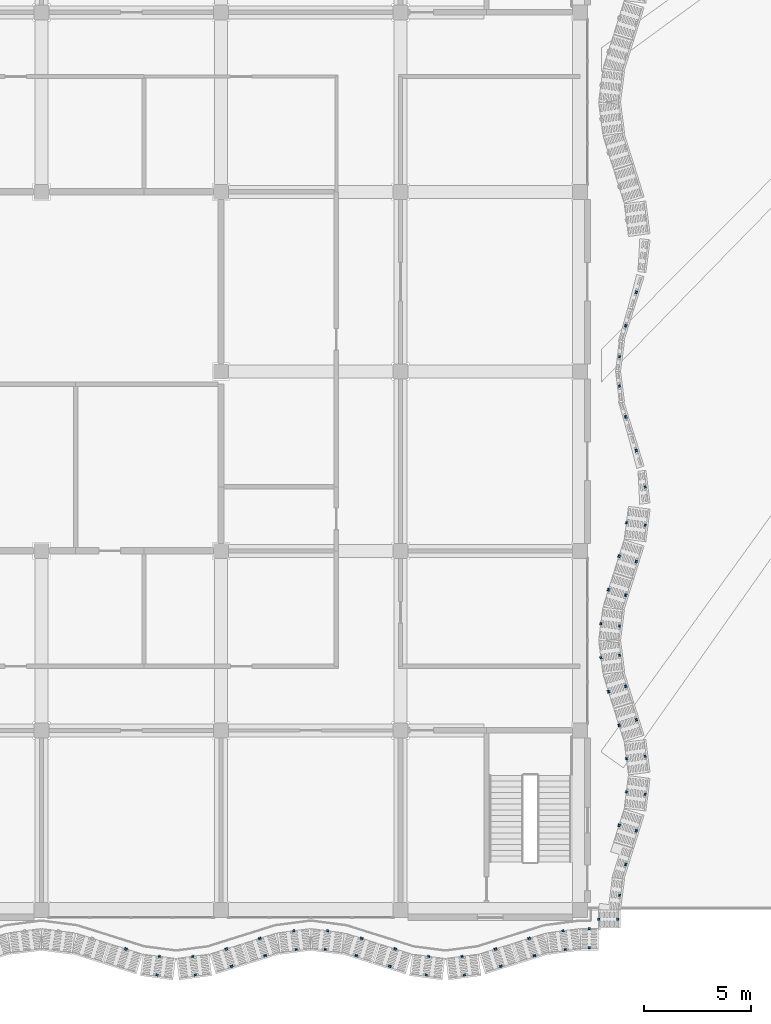
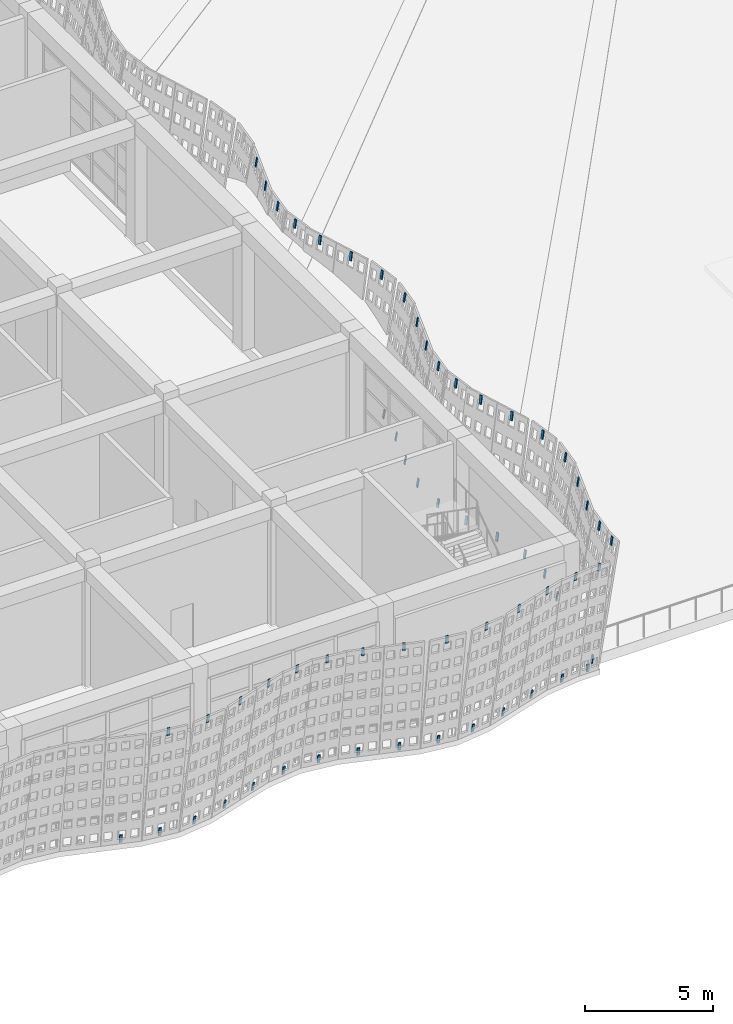
# One storey, part 136 of 210: 60 discrete accessories.
"""IFC4 building model written with IfcOpenShell, lengths in metres."""

from ifc_helpers import new_model, si_unit, direction, frame, origin, origin_2d, place, context, subcontext, project, spatial, rectangle, extrude, material, material_profile, profile_set, type_object, element, save


model = new_model("IFC4")

# Units and contexts
model_context = context("Model", 3, precision=1e-05, world=origin(), true_north=direction((0.0, 1.0)))
body_context = subcontext(model_context, "Body", "Model", "MODEL_VIEW")
ifc_project = project(units=[si_unit("LENGTHUNIT", "METRE"), si_unit("AREAUNIT", "SQUARE_METRE"), si_unit("VOLUMEUNIT", "CUBIC_METRE"), si_unit("PLANEANGLEUNIT", "RADIAN"), si_unit("MASSUNIT", "GRAM", prefix="KILO")], contexts=[model_context])

# Site, building, storey
site_placement = place(None, origin())
site = spatial("IfcSite", under=ifc_project, at=site_placement, CompositionType="ELEMENT")
building_placement = place(site_placement, origin())
building = spatial("IfcBuilding", under=site, at=building_placement, Name="Rain Tree Exposition and Congress Centre", CompositionType="ELEMENT")
storey_placement = place(building_placement, origin())
storey = spatial("IfcBuildingStorey", under=building, at=storey_placement, Name="L00", CompositionType="ELEMENT", Elevation=0.0)

# Discrete accessories
ifc_material = material(Name="Steel S355J2", Category="steel")
ifc_material_profile = material_profile(ifc_material, rectangle(XDim=0.1201171875, YDim=0.050048828125, at=origin_2d()), Name="Flat bar 120x50")
ifc_profile_set = profile_set([ifc_material_profile], Name="Steel S355J2")
discrete_accessory_type = type_object("IfcDiscreteAccessoryType", Name="Screen bracket 120x50", PredefinedType="BRACKET", material=ifc_profile_set)
discrete_accessory_1_placement = place(storey_placement, frame((29.165283203125, -1.797607421875, 0.00390625), z_axis=(-0.047009791021, -0.14835557426, 0.987816128201), x_axis=(0.953285755706, -0.302069971973, 0.0)))
element("IfcDiscreteAccessory", 1, at=discrete_accessory_1_placement, inside=storey, type_object=discrete_accessory_type, Name="wing/bracket/L00/0191b", PredefinedType="BRACKET", context=body_context, shape_type="SweptSolid", body=[
    extrude(rectangle(XDim=0.1201171875, YDim=0.050048828125, at=origin_2d()), origin(), (0.0, 0.0, 1.0), 0.39990234375),
])
for number, where, z_axis, x_axis, name in (
    (2, (30.611083984375, -3.013427734375, 5.351318359375), (-0.020749404626, -0.160502747552, 0.986817272972), (0.991746960377, -0.128210633661, 0.0), "wing/bracket/L00/0201t"),
    (3, (30.72412109375, -2.144287109375, 0.00390625), (-0.020749404626, -0.160502747552, 0.986817272972), (0.991746960377, -0.128210633661, 0.0), "wing/bracket/L00/0201b"),
    (4, (32.388916015625, -3.013427734375, 5.351318359375), (0.020749404626, -0.160502747552, 0.986817272972), (0.991746960377, 0.128210633661, 0.0), "wing/bracket/L00/0211t"),
    (5, (32.27587890625, -2.144287109375, 0.00390625), (0.020749404626, -0.160502747552, 0.986817272972), (0.991746960377, 0.128210633661, 0.0), "wing/bracket/L00/0211b"),
):
    element("IfcDiscreteAccessory", number, at=place(storey_placement, frame(where, z_axis=z_axis, x_axis=x_axis)), inside=storey, type_object=discrete_accessory_type, Name=name, PredefinedType="BRACKET", context=body_context, shape_type="SweptSolid", body=[
        extrude(rectangle(XDim=0.1201171875, YDim=0.050048828125, at=origin_2d()), origin(), (0.0, 0.0, 1.0), 0.400146484375),
    ])
for number, where, z_axis, x_axis, name in (
    (6, (34.08740234375, -2.601806640625, 5.35107421875), (0.047005524996, -0.148952572715, 0.987726486281), (0.953641715318, 0.300944311801, 0.0), "wing/bracket/L00/0221t"),
    (7, (33.834716796875, -1.797607421875, 0.00390625), (0.047009791021, -0.14835557426, 0.987816128201), (0.953285755706, 0.302069971973, 0.0), "wing/bracket/L00/0221b"),
    (8, (35.6591796875, -2.10791015625, 5.35107421875), (0.047009791021, -0.14835557426, 0.987816128201), (0.953285755706, 0.302069971973, 0.0), "wing/bracket/L00/0231t"),
    (9, (35.406494140625, -1.3037109375, 0.00390625), (0.046400597335, -0.148359804637, 0.987844295896), (0.954410065476, 0.298498621301, 0.0), "wing/bracket/L00/0231b"),
):
    element("IfcDiscreteAccessory", number, at=place(storey_placement, frame(where, z_axis=z_axis, x_axis=x_axis)), inside=storey, type_object=discrete_accessory_type, Name=name, PredefinedType="BRACKET", context=body_context, shape_type="SweptSolid", body=[
        extrude(rectangle(XDim=0.1201171875, YDim=0.050048828125, at=origin_2d()), origin(), (0.0, 0.0, 1.0), 0.39990234375),
    ])
for number, where, z_axis, x_axis, name in (
    (10, (37.1123046875, -1.818603515625, 5.351318359375), (0.020749404626, -0.160502747552, 0.986817272972), (0.991746960377, 0.128210633661, 0.0), "wing/bracket/L00/0241t"),
    (11, (36.9990234375, -0.94970703125, 0.00390625), (0.021359406786, -0.160500685277, 0.986804593507), (0.991260787426, 0.131916834829, 0.0), "wing/bracket/L00/0241b"),
    (12, (38.48779296875, -1.818603515625, 5.351318359375), (-0.020749404626, -0.160502747552, 0.986817272972), (0.991746960377, -0.128210633661, 0.0), "wing/bracket/L00/0251t"),
    (13, (38.600830078125, -0.94970703125, 0.00390625), (-0.020749404626, -0.160502747552, 0.986817272972), (0.991746960377, -0.128210633661, 0.0), "wing/bracket/L00/0251b"),
):
    element("IfcDiscreteAccessory", number, at=place(storey_placement, frame(where, z_axis=z_axis, x_axis=x_axis)), inside=storey, type_object=discrete_accessory_type, Name=name, PredefinedType="BRACKET", context=body_context, shape_type="SweptSolid", body=[
        extrude(rectangle(XDim=0.1201171875, YDim=0.050048828125, at=origin_2d()), origin(), (0.0, 0.0, 1.0), 0.400146484375),
    ])
for number, where, z_axis, x_axis, name in (
    (14, (39.94091796875, -2.10791015625, 5.35107421875), (-0.047009791021, -0.14835557426, 0.987816128201), (0.953285755706, -0.302069971973, 0.0), "wing/bracket/L00/0261t"),
    (15, (40.193603515625, -1.3037109375, 0.00390625), (-0.047009791021, -0.14835557426, 0.987816128201), (0.953285755706, -0.302069971973, 0.0), "wing/bracket/L00/0261b"),
    (16, (41.512451171875, -2.601806640625, 5.35107421875), (-0.046396386353, -0.148956819344, 0.987754646309), (0.954758063246, -0.297383659044, 0.0), "wing/bracket/L00/0271t"),
    (17, (41.76513671875, -1.797607421875, 0.00390625), (-0.046400597335, -0.148359804637, 0.987844295896), (0.954410065476, -0.298498621301, 0.0), "wing/bracket/L00/0271b"),
):
    element("IfcDiscreteAccessory", number, at=place(storey_placement, frame(where, z_axis=z_axis, x_axis=x_axis)), inside=storey, type_object=discrete_accessory_type, Name=name, PredefinedType="BRACKET", context=body_context, shape_type="SweptSolid", body=[
        extrude(rectangle(XDim=0.1201171875, YDim=0.050048828125, at=origin_2d()), origin(), (0.0, 0.0, 1.0), 0.39990234375),
    ])
for number, where, z_axis, x_axis, name in (
    (18, (43.211181640625, -3.013427734375, 5.351318359375), (-0.021359406786, -0.160500685277, 0.986804593507), (0.991260787426, -0.131916834829, 0.0), "wing/bracket/L00/0281t"),
    (19, (43.32421875, -2.144287109375, 0.00390625), (-0.020749404626, -0.160502747552, 0.986817272972), (0.991746960377, -0.128210633661, 0.0), "wing/bracket/L00/0281b"),
    (20, (44.989013671875, -3.013427734375, 5.351318359375), (0.020749404626, -0.160502747552, 0.986817272972), (0.991746960377, 0.128210633661, 0.0), "wing/bracket/L00/0291t"),
    (21, (44.875732421875, -2.144287109375, 0.00390625), (0.020749404626, -0.160502747552, 0.986817272972), (0.991746960377, 0.128210633661, 0.0), "wing/bracket/L00/0291b"),
):
    element("IfcDiscreteAccessory", number, at=place(storey_placement, frame(where, z_axis=z_axis, x_axis=x_axis)), inside=storey, type_object=discrete_accessory_type, Name=name, PredefinedType="BRACKET", context=body_context, shape_type="SweptSolid", body=[
        extrude(rectangle(XDim=0.1201171875, YDim=0.050048828125, at=origin_2d()), origin(), (0.0, 0.0, 1.0), 0.400146484375),
    ])
for number, where, z_axis, x_axis, name in (
    (22, (46.6875, -2.601806640625, 5.35107421875), (0.047005524996, -0.148952572715, 0.987726486281), (0.953641715318, 0.300944311801, 0.0), "wing/bracket/L00/0301t"),
    (23, (46.434814453125, -1.797607421875, 0.00390625), (0.046400597335, -0.148359804637, 0.987844295896), (0.954410065476, 0.298498621301, 0.0), "wing/bracket/L00/0301b"),
    (24, (48.25927734375, -2.10791015625, 5.35107421875), (0.046400597335, -0.148359804637, 0.987844295896), (0.954410065476, 0.298498621301, 0.0), "wing/bracket/L00/0311t"),
    (25, (48.00634765625, -1.3037109375, 0.00390625), (0.047009791021, -0.14835557426, 0.987816128201), (0.953285755706, 0.302069971973, 0.0), "wing/bracket/L00/0311b"),
):
    element("IfcDiscreteAccessory", number, at=place(storey_placement, frame(where, z_axis=z_axis, x_axis=x_axis)), inside=storey, type_object=discrete_accessory_type, Name=name, PredefinedType="BRACKET", context=body_context, shape_type="SweptSolid", body=[
        extrude(rectangle(XDim=0.1201171875, YDim=0.050048828125, at=origin_2d()), origin(), (0.0, 0.0, 1.0), 0.39990234375),
    ])
for number, where, z_axis, x_axis, name in (
    (26, (49.712158203125, -1.818603515625, 5.351318359375), (0.021359406786, -0.160500685277, 0.986804593507), (0.991260787426, 0.131916834829, 0.0), "wing/bracket/L00/0321t"),
    (27, (49.59912109375, -0.94970703125, 0.00390625), (0.020749404626, -0.160502747552, 0.986817272972), (0.991746960377, 0.128210633661, 0.0), "wing/bracket/L00/0321b"),
):
    element("IfcDiscreteAccessory", number, at=place(storey_placement, frame(where, z_axis=z_axis, x_axis=x_axis)), inside=storey, type_object=discrete_accessory_type, Name=name, PredefinedType="BRACKET", context=body_context, shape_type="SweptSolid", body=[
        extrude(rectangle(XDim=0.1201171875, YDim=0.050048828125, at=origin_2d()), origin(), (0.0, 0.0, 1.0), 0.400146484375),
    ])
for number, where, z_axis, x_axis, name in (
    (28, (50.8349609375, -1.72998046875, 5.351318359375), (0.0, -0.163012746375, 0.986623963078), (1.0, 0.0, 0.0), "wing/bracket/L00/0331t"),
    (29, (50.8349609375, -0.84619140625, 0.004150390625), (0.0, -0.163606968355, 0.986525600228), (1.0, 0.0, 0.0), "wing/bracket/L00/0331b"),
    (30, (52.1298828125, -0.43505859375, 5.351318359375), (0.163606968355, 0.0, 0.986525600228), (0.0, 1.0, 0.0), "wing/bracket/L00/0341t"),
    (31, (51.246337890625, -0.43505859375, 0.004150390625), (0.163012746375, 0.0, 0.986623963078), (0.0, 1.0, 0.0), "wing/bracket/L00/0341b"),
    (32, (52.21875, 0.687744140625, 5.351318359375), (0.159908105102, -0.020751433487, 0.986913763168), (0.128691897898, 0.991684624977, 0.0), "wing/bracket/L00/0351t"),
    (33, (52.5078125, 2.140869140625, 5.35107421875), (0.148952572715, -0.047005524996, 0.987726486281), (0.300944311801, 0.953641715318, 0.0), "wing/bracket/L00/0361t"),
    (34, (53.001708984375, 3.71240234375, 5.35107421875), (0.148956819344, -0.046396386353, 0.987754646309), (0.297383659044, 0.954758063246, 0.0), "wing/bracket/L00/0371t"),
    (35, (52.197509765625, 3.965087890625, 0.00390625), (0.148956819344, -0.046396386353, 0.987754646309), (0.297383659044, 0.954758063246, 0.0), "wing/bracket/L00/0371b"),
):
    element("IfcDiscreteAccessory", number, at=place(storey_placement, frame(where, z_axis=z_axis, x_axis=x_axis)), inside=storey, type_object=discrete_accessory_type, Name=name, PredefinedType="BRACKET", context=body_context, shape_type="SweptSolid", body=[
        extrude(rectangle(XDim=0.1201171875, YDim=0.050048828125, at=origin_2d()), origin(), (0.0, 0.0, 1.0), 0.39990234375),
    ])
for number, where, z_axis, x_axis, name in (
    (36, (53.413330078125, 5.4111328125, 5.351318359375), (0.160500685277, -0.021359406786, 0.986804593507), (0.131916834829, 0.991260787426, 0.0), "wing/bracket/L00/0381t"),
    (37, (52.54443359375, 5.524169921875, 0.00390625), (0.160502747552, -0.020749404626, 0.986817272972), (0.128210633661, 0.991746960377, 0.0), "wing/bracket/L00/0381b"),
    (38, (53.413330078125, 7.18896484375, 5.351318359375), (0.160502747552, 0.020749404626, 0.986817272972), (-0.128210633661, 0.991746960377, 0.0), "wing/bracket/L00/0391t"),
    (39, (52.54443359375, 7.07568359375, 0.00390625), (0.160502747552, 0.020749404626, 0.986817272972), (-0.128210633661, 0.991746960377, 0.0), "wing/bracket/L00/0391b"),
):
    element("IfcDiscreteAccessory", number, at=place(storey_placement, frame(where, z_axis=z_axis, x_axis=x_axis)), inside=storey, type_object=discrete_accessory_type, Name=name, PredefinedType="BRACKET", context=body_context, shape_type="SweptSolid", body=[
        extrude(rectangle(XDim=0.1201171875, YDim=0.050048828125, at=origin_2d()), origin(), (0.0, 0.0, 1.0), 0.400146484375),
    ])
for number, where, z_axis, x_axis, name in (
    (40, (53.001708984375, 8.887451171875, 5.35107421875), (0.148952572715, 0.047005524996, 0.987726486281), (-0.300944311801, 0.953641715318, 0.0), "wing/bracket/L00/0401t"),
    (41, (52.197509765625, 8.634765625, 0.00390625), (0.148956819344, 0.046396386353, 0.987754646309), (-0.297383659044, 0.954758063246, 0.0), "wing/bracket/L00/0401b"),
    (42, (52.5078125, 10.459228515625, 5.35107421875), (0.148956819344, 0.046396386353, 0.987754646309), (-0.297383659044, 0.954758063246, 0.0), "wing/bracket/L00/0411t"),
    (43, (51.70361328125, 10.206298828125, 0.00390625), (0.14835557426, 0.047009791021, 0.987816128201), (-0.302069971973, 0.953285755706, 0.0), "wing/bracket/L00/0411b"),
    (44, (52.21875, 11.912109375, 5.351318359375), (0.159906050065, 0.021361495238, 0.986901079984), (-0.132411522928, 0.991194828778, 0.0), "wing/bracket/L00/0421t"),
):
    element("IfcDiscreteAccessory", number, at=place(storey_placement, frame(where, z_axis=z_axis, x_axis=x_axis)), inside=storey, type_object=discrete_accessory_type, Name=name, PredefinedType="BRACKET", context=body_context, shape_type="SweptSolid", body=[
        extrude(rectangle(XDim=0.1201171875, YDim=0.050048828125, at=origin_2d()), origin(), (0.0, 0.0, 1.0), 0.39990234375),
    ])
discrete_accessory_2_placement = place(storey_placement, frame((51.349609375, 11.799072265625, 0.00390625), z_axis=(0.160500685277, 0.021359406786, 0.986804593507), x_axis=(-0.131916834829, 0.991260787426, 0.0)))
element("IfcDiscreteAccessory", 45, at=discrete_accessory_2_placement, inside=storey, type_object=discrete_accessory_type, Name="wing/bracket/L00/0421b", PredefinedType="BRACKET", context=body_context, shape_type="SweptSolid", body=[
    extrude(rectangle(XDim=0.1201171875, YDim=0.050048828125, at=origin_2d()), origin(), (0.0, 0.0, 1.0), 0.400146484375),
])
discrete_accessory_3_placement = place(storey_placement, frame((52.21875, 13.287841796875, 5.351318359375), z_axis=(0.159906050065, -0.021361495238, 0.986901079984), x_axis=(0.132411522928, 0.991194828778, 0.0)))
element("IfcDiscreteAccessory", 46, at=discrete_accessory_3_placement, inside=storey, type_object=discrete_accessory_type, Name="wing/bracket/L00/0431t", PredefinedType="BRACKET", context=body_context, shape_type="SweptSolid", body=[
    extrude(rectangle(XDim=0.1201171875, YDim=0.050048828125, at=origin_2d()), origin(), (0.0, 0.0, 1.0), 0.39990234375),
])
discrete_accessory_4_placement = place(storey_placement, frame((51.349609375, 13.40087890625, 0.00390625), z_axis=(0.160502747552, -0.020749404626, 0.986817272972), x_axis=(0.128210633661, 0.991746960377, 0.0)))
element("IfcDiscreteAccessory", 47, at=discrete_accessory_4_placement, inside=storey, type_object=discrete_accessory_type, Name="wing/bracket/L00/0431b", PredefinedType="BRACKET", context=body_context, shape_type="SweptSolid", body=[
    extrude(rectangle(XDim=0.1201171875, YDim=0.050048828125, at=origin_2d()), origin(), (0.0, 0.0, 1.0), 0.400146484375),
])
for number, where, z_axis, x_axis, name in (
    (48, (52.5078125, 14.74072265625, 5.35107421875), (0.148956819344, -0.046396386353, 0.987754646309), (0.297383659044, 0.954758063246, 0.0), "wing/bracket/L00/0441t"),
    (49, (51.70361328125, 14.99365234375, 0.00390625), (0.14835557426, -0.047009791021, 0.987816128201), (0.302069971973, 0.953285755706, 0.0), "wing/bracket/L00/0441b"),
    (50, (53.001708984375, 16.3125, 5.35107421875), (0.148952572715, -0.047005524996, 0.987726486281), (0.300944311801, 0.953641715318, 0.0), "wing/bracket/L00/0451t"),
    (51, (52.197509765625, 16.565185546875, 0.00390625), (0.148956819344, -0.046396386353, 0.987754646309), (0.297383659044, 0.954758063246, 0.0), "wing/bracket/L00/0451b"),
):
    element("IfcDiscreteAccessory", number, at=place(storey_placement, frame(where, z_axis=z_axis, x_axis=x_axis)), inside=storey, type_object=discrete_accessory_type, Name=name, PredefinedType="BRACKET", context=body_context, shape_type="SweptSolid", body=[
        extrude(rectangle(XDim=0.1201171875, YDim=0.050048828125, at=origin_2d()), origin(), (0.0, 0.0, 1.0), 0.39990234375),
    ])
for number, where, z_axis, x_axis, name in (
    (52, (53.413330078125, 18.010986328125, 5.351318359375), (0.160502747552, -0.020749404626, 0.986817272972), (0.128210633661, 0.991746960377, 0.0), "wing/bracket/L00/0461t"),
    (53, (52.54443359375, 18.124267578125, 0.00390625), (0.160502747552, -0.020749404626, 0.986817272972), (0.128210633661, 0.991746960377, 0.0), "wing/bracket/L00/0461b"),
    (54, (53.413330078125, 19.788818359375, 5.351318359375), (0.160500685277, 0.021359406786, 0.986804593507), (-0.131916834829, 0.991260787426, 0.0), "wing/bracket/L00/0471t"),
):
    element("IfcDiscreteAccessory", number, at=place(storey_placement, frame(where, z_axis=z_axis, x_axis=x_axis)), inside=storey, type_object=discrete_accessory_type, Name=name, PredefinedType="BRACKET", context=body_context, shape_type="SweptSolid", body=[
        extrude(rectangle(XDim=0.1201171875, YDim=0.050048828125, at=origin_2d()), origin(), (0.0, 0.0, 1.0), 0.400146484375),
    ])
for number, where, z_axis, x_axis, name in (
    (55, (53.001708984375, 21.487548828125, 5.35107421875), (0.148956819344, 0.046396386353, 0.987754646309), (-0.297383659044, 0.954758063246, 0.0), "wing/bracket/L00/0481t"),
    (56, (52.5078125, 23.05908203125, 5.35107421875), (0.148952572715, 0.047005524996, 0.987726486281), (-0.300944311801, 0.953641715318, 0.0), "wing/bracket/L00/0491t"),
    (57, (52.21875, 24.51220703125, 5.351318359375), (0.159908105102, 0.020751433487, 0.986913763168), (-0.128691897898, 0.991684624977, 0.0), "wing/bracket/L00/0501t"),
    (58, (52.21875, 25.8876953125, 5.351318359375), (0.159908105102, -0.020751433487, 0.986913763168), (0.128691897898, 0.991684624977, 0.0), "wing/bracket/L00/0511t"),
    (59, (52.5078125, 27.3408203125, 5.35107421875), (0.148952572715, -0.047005524996, 0.987726486281), (0.300944311801, 0.953641715318, 0.0), "wing/bracket/L00/0521t"),
    (60, (53.001708984375, 28.91259765625, 5.35107421875), (0.148952572715, -0.047005524996, 0.987726486281), (0.300944311801, 0.953641715318, 0.0), "wing/bracket/L00/0531t"),
):
    element("IfcDiscreteAccessory", number, at=place(storey_placement, frame(where, z_axis=z_axis, x_axis=x_axis)), inside=storey, type_object=discrete_accessory_type, Name=name, PredefinedType="BRACKET", context=body_context, shape_type="SweptSolid", body=[
        extrude(rectangle(XDim=0.1201171875, YDim=0.050048828125, at=origin_2d()), origin(), (0.0, 0.0, 1.0), 0.39990234375),
    ])

save(model, "model.ifc")
